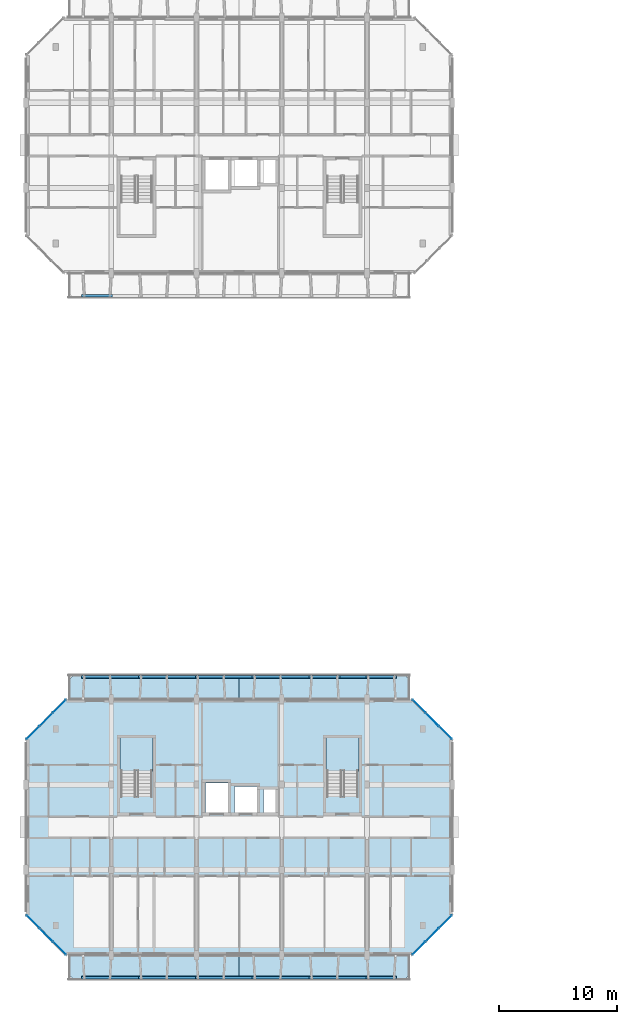
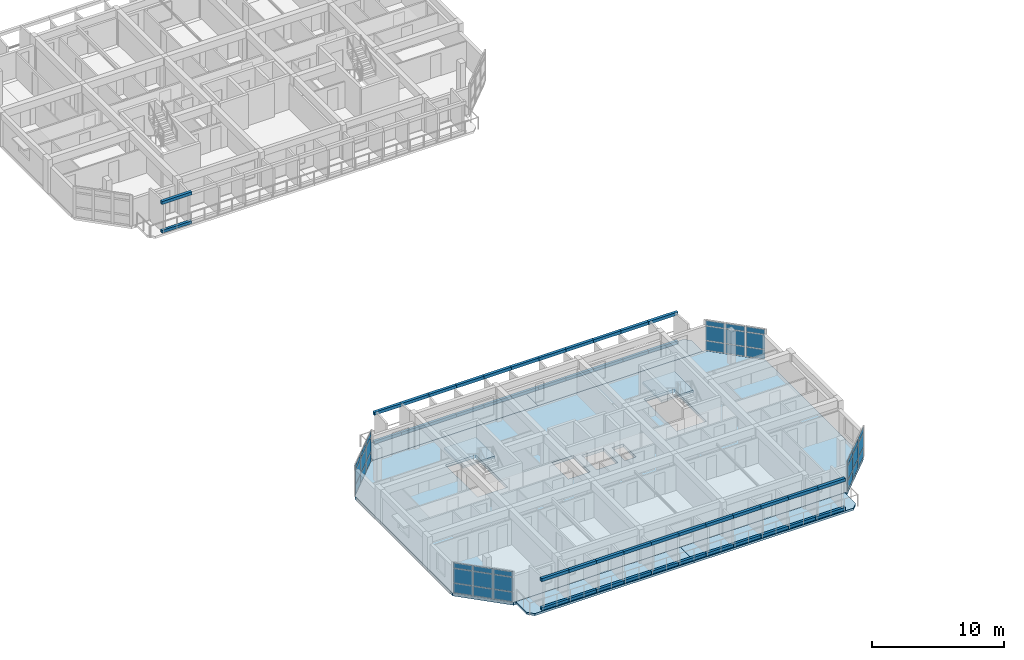
# One storey, part 11 of 44: 82 plates, 7 slabs, 6 elements without a shape of their own.
"""IFC4 building model written with IfcOpenShell, lengths in metres."""

from ifc_helpers import new_model, si_unit, direction, frame, origin, origin_2d, place, context, subcontext, project, spatial, polyline, rectangle, outline, extrude, material, layer, layer_set, type_object, element, aggregate, save


model = new_model("IFC4")

# Units and contexts
model_context = context("Model", 3, precision=1e-05, world=origin(), true_north=direction((0.0, 1.0)))
body_context = subcontext(model_context, "Body", "Model", "MODEL_VIEW")
ifc_project = project(units=[si_unit("LENGTHUNIT", "METRE"), si_unit("AREAUNIT", "SQUARE_METRE"), si_unit("VOLUMEUNIT", "CUBIC_METRE"), si_unit("PLANEANGLEUNIT", "RADIAN"), si_unit("MASSUNIT", "GRAM", prefix="KILO")], contexts=[model_context])

# Site, building, storey
site_placement = place(None, origin())
site = spatial("IfcSite", under=ifc_project, at=site_placement, CompositionType="ELEMENT")
building_placement = place(site_placement, origin())
building = spatial("IfcBuilding", under=site, at=building_placement, Name="Ochrevale Crest", CompositionType="ELEMENT")
storey_placement = place(building_placement, frame((0.0, 0.0, 21.300048828125)))
storey = spatial("IfcBuildingStorey", under=building, at=storey_placement, Name="L06", CompositionType="ELEMENT", Elevation=21.300048828125)

# Curtain wall, plates
ifc_material_1 = material(Name="Anodised aluminium 6063-T5", Category="aluminium")
ifc_layer_1 = layer(ifc_material_1, 0.14990234375)
ifc_layer_set_1 = layer_set([ifc_layer_1], Name="Anodised aluminium 6063-T5")
curtain_wall_type_1 = type_object("IfcCurtainWallType", Name="CW-WG-240x285", PredefinedType="NOTDEFINED", material=ifc_layer_set_1)
curtain_wall_1_placement = place(storey_placement, origin())
curtain_wall_1 = element("IfcCurtainWall", 1, at=curtain_wall_1_placement, inside=storey, type_object=curtain_wall_type_1, Name="Block A L06 chamfered corner wintergarden curtain wall 4", PredefinedType="NOTDEFINED")
ifc_material_2 = material(Name="Double-glazed low-E insulated glass unit", Category="glass")
ifc_layer_2 = layer(ifc_material_2, 0.028076171875)
ifc_layer_set_2 = layer_set([ifc_layer_2], Name="Double-glazed low-E insulated glass unit")
plate_type_1 = type_object("IfcPlateType", Name="CW-PNL-IGU28", PredefinedType="CURTAIN_PANEL", material=ifc_layer_set_2)
plate_1_placement = place(storey_placement, frame((35.420166015625, 33.179931640625, 0.06005859375), z_axis=(0.0, 0.0, 1.0), x_axis=(-0.707106781187, 0.707106781187, 0.0)))
plate_1 = element("IfcPlate", 2, at=plate_1_placement, type_object=plate_type_1, Name="CW15 panel 1.1", PredefinedType="CURTAIN_PANEL", context=body_context, shape_type="SweptSolid", body=[
    extrude(rectangle(XDim=1.490234375, YDim=0.028076171875, at=origin_2d()), origin(), (0.0, 0.0, 1.0), 0.860107421875),
])
plate_2_placement = place(storey_placement, frame((35.420166015625, 33.179931640625, 0.97998046875), z_axis=(0.0, 0.0, 1.0), x_axis=(-0.707106781187, 0.707106781187, 0.0)))
plate_2 = element("IfcPlate", 3, at=plate_2_placement, type_object=plate_type_1, Name="CW15 panel 1.2", PredefinedType="CURTAIN_PANEL", context=body_context, shape_type="SweptSolid", body=[
    extrude(rectangle(XDim=1.490234375, YDim=0.028076171875, at=origin_2d()), origin(), (0.0, 0.0, 1.0), 1.31494140625),
])
plate_3_placement = place(storey_placement, frame((35.420166015625, 33.179931640625, 2.35498046875), z_axis=(0.0, 0.0, 1.0), x_axis=(-0.707106781187, 0.707106781187, 0.0)))
plate_3 = element("IfcPlate", 4, at=plate_3_placement, type_object=plate_type_1, Name="CW15 panel 1.3", PredefinedType="CURTAIN_PANEL", context=body_context, shape_type="SweptSolid", body=[
    extrude(rectangle(XDim=1.490234375, YDim=0.028076171875, at=origin_2d()), origin(), (0.0, 0.0, 1.0), 0.4599609375),
])
plate_4_placement = place(storey_placement, frame((34.300048828125, 34.300048828125, 0.06005859375), z_axis=(0.0, 0.0, 1.0), x_axis=(-0.707106781187, 0.707106781187, 0.0)))
plate_4 = element("IfcPlate", 5, at=plate_4_placement, type_object=plate_type_1, Name="CW15 panel 2.1", PredefinedType="CURTAIN_PANEL", context=body_context, shape_type="SweptSolid", body=[
    extrude(rectangle(XDim=1.52783203125, YDim=0.028076171875, at=origin_2d()), origin(), (0.0, 0.0, 1.0), 0.860107421875),
])
plate_5_placement = place(storey_placement, frame((34.300048828125, 34.300048828125, 0.97998046875), z_axis=(0.0, 0.0, 1.0), x_axis=(-0.707106781187, 0.707106781187, 0.0)))
plate_5 = element("IfcPlate", 6, at=plate_5_placement, type_object=plate_type_1, Name="CW15 panel 2.2", PredefinedType="CURTAIN_PANEL", context=body_context, shape_type="SweptSolid", body=[
    extrude(rectangle(XDim=1.52783203125, YDim=0.028076171875, at=origin_2d()), origin(), (0.0, 0.0, 1.0), 1.31494140625),
])
plate_6_placement = place(storey_placement, frame((34.300048828125, 34.300048828125, 2.35498046875), z_axis=(0.0, 0.0, 1.0), x_axis=(-0.707106781187, 0.707106781187, 0.0)))
plate_6 = element("IfcPlate", 7, at=plate_6_placement, type_object=plate_type_1, Name="CW15 panel 2.3", PredefinedType="CURTAIN_PANEL", context=body_context, shape_type="SweptSolid", body=[
    extrude(rectangle(XDim=1.52783203125, YDim=0.028076171875, at=origin_2d()), origin(), (0.0, 0.0, 1.0), 0.4599609375),
])
plate_7_placement = place(storey_placement, frame((33.179931640625, 35.420166015625, 0.06005859375), z_axis=(0.0, 0.0, 1.0), x_axis=(-0.707106781187, 0.707106781187, 0.0)))
plate_7 = element("IfcPlate", 8, at=plate_7_placement, type_object=plate_type_1, Name="CW15 panel 3.1", PredefinedType="CURTAIN_PANEL", context=body_context, shape_type="SweptSolid", body=[
    extrude(rectangle(XDim=1.490234375, YDim=0.028076171875, at=origin_2d()), origin(), (0.0, 0.0, 1.0), 0.860107421875),
])
plate_8_placement = place(storey_placement, frame((33.179931640625, 35.420166015625, 0.97998046875), z_axis=(0.0, 0.0, 1.0), x_axis=(-0.707106781187, 0.707106781187, 0.0)))
plate_8 = element("IfcPlate", 9, at=plate_8_placement, type_object=plate_type_1, Name="CW15 panel 3.2", PredefinedType="CURTAIN_PANEL", context=body_context, shape_type="SweptSolid", body=[
    extrude(rectangle(XDim=1.490234375, YDim=0.028076171875, at=origin_2d()), origin(), (0.0, 0.0, 1.0), 1.31494140625),
])
plate_9_placement = place(storey_placement, frame((33.179931640625, 35.420166015625, 2.35498046875), z_axis=(0.0, 0.0, 1.0), x_axis=(-0.707106781187, 0.707106781187, 0.0)))
plate_9 = element("IfcPlate", 10, at=plate_9_placement, type_object=plate_type_1, Name="CW15 panel 3.3", PredefinedType="CURTAIN_PANEL", context=body_context, shape_type="SweptSolid", body=[
    extrude(rectangle(XDim=1.490234375, YDim=0.028076171875, at=origin_2d()), origin(), (0.0, 0.0, 1.0), 0.4599609375),
])
aggregate(curtain_wall_1, [plate_1, plate_2, plate_3, plate_4, plate_5, plate_6, plate_7, plate_8, plate_9])

ifc_layer_3 = layer(ifc_material_1, 0.14990234375)
ifc_layer_set_3 = layer_set([ifc_layer_3], Name="Anodised aluminium 6063-T5")
curtain_wall_type_2 = type_object("IfcCurtainWallType", Name="CW-WG-320x285", PredefinedType="NOTDEFINED", material=ifc_layer_set_3)
curtain_wall_2_placement = place(storey_placement, origin())
curtain_wall_2 = element("IfcCurtainWall", 11, at=curtain_wall_2_placement, inside=storey, type_object=curtain_wall_type_2, Name="Block A L06 chamfered corner wintergarden curtain wall 6", PredefinedType="NOTDEFINED")
plate_10_placement = place(storey_placement, frame((2.820068359375, 35.420166015625, 0.06005859375), z_axis=(0.0, 0.0, 1.0), x_axis=(-0.707106781187, -0.707106781187, 0.0)))
plate_10 = element("IfcPlate", 12, at=plate_10_placement, type_object=plate_type_1, Name="CW17 panel 1.1", PredefinedType="CURTAIN_PANEL", context=body_context, shape_type="SweptSolid", body=[
    extrude(rectangle(XDim=1.490234375, YDim=0.028076171875, at=origin_2d()), origin(), (0.0, 0.0, 1.0), 0.860107421875),
])
plate_11_placement = place(storey_placement, frame((2.820068359375, 35.420166015625, 0.97998046875), z_axis=(0.0, 0.0, 1.0), x_axis=(-0.707106781187, -0.707106781187, 0.0)))
plate_11 = element("IfcPlate", 13, at=plate_11_placement, type_object=plate_type_1, Name="CW17 panel 1.2", PredefinedType="CURTAIN_PANEL", context=body_context, shape_type="SweptSolid", body=[
    extrude(rectangle(XDim=1.490234375, YDim=0.028076171875, at=origin_2d()), origin(), (0.0, 0.0, 1.0), 1.31494140625),
])
plate_12_placement = place(storey_placement, frame((2.820068359375, 35.420166015625, 2.35498046875), z_axis=(0.0, 0.0, 1.0), x_axis=(-0.707106781187, -0.707106781187, 0.0)))
plate_12 = element("IfcPlate", 14, at=plate_12_placement, type_object=plate_type_1, Name="CW17 panel 1.3", PredefinedType="CURTAIN_PANEL", context=body_context, shape_type="SweptSolid", body=[
    extrude(rectangle(XDim=1.490234375, YDim=0.028076171875, at=origin_2d()), origin(), (0.0, 0.0, 1.0), 0.4599609375),
])
plate_13_placement = place(storey_placement, frame((1.699951171875, 34.300048828125, 0.06005859375), z_axis=(0.0, 0.0, 1.0), x_axis=(-0.707106781187, -0.707106781187, 0.0)))
plate_13 = element("IfcPlate", 15, at=plate_13_placement, type_object=plate_type_1, Name="CW17 panel 2.1", PredefinedType="CURTAIN_PANEL", context=body_context, shape_type="SweptSolid", body=[
    extrude(rectangle(XDim=1.52783203125, YDim=0.028076171875, at=origin_2d()), origin(), (0.0, 0.0, 1.0), 0.860107421875),
])
plate_14_placement = place(storey_placement, frame((1.699951171875, 34.300048828125, 0.97998046875), z_axis=(0.0, 0.0, 1.0), x_axis=(-0.707106781187, -0.707106781187, 0.0)))
plate_14 = element("IfcPlate", 16, at=plate_14_placement, type_object=plate_type_1, Name="CW17 panel 2.2", PredefinedType="CURTAIN_PANEL", context=body_context, shape_type="SweptSolid", body=[
    extrude(rectangle(XDim=1.52783203125, YDim=0.028076171875, at=origin_2d()), origin(), (0.0, 0.0, 1.0), 1.31494140625),
])
plate_15_placement = place(storey_placement, frame((1.699951171875, 34.300048828125, 2.35498046875), z_axis=(0.0, 0.0, 1.0), x_axis=(-0.707106781187, -0.707106781187, 0.0)))
plate_15 = element("IfcPlate", 17, at=plate_15_placement, type_object=plate_type_1, Name="CW17 panel 2.3", PredefinedType="CURTAIN_PANEL", context=body_context, shape_type="SweptSolid", body=[
    extrude(rectangle(XDim=1.52783203125, YDim=0.028076171875, at=origin_2d()), origin(), (0.0, 0.0, 1.0), 0.4599609375),
])
plate_16_placement = place(storey_placement, frame((0.579833984375, 33.179931640625, 0.06005859375), z_axis=(0.0, 0.0, 1.0), x_axis=(-0.707106781187, -0.707106781187, 0.0)))
plate_16 = element("IfcPlate", 18, at=plate_16_placement, type_object=plate_type_1, Name="CW17 panel 3.1", PredefinedType="CURTAIN_PANEL", context=body_context, shape_type="SweptSolid", body=[
    extrude(rectangle(XDim=1.490234375, YDim=0.028076171875, at=origin_2d()), origin(), (0.0, 0.0, 1.0), 0.860107421875),
])
plate_17_placement = place(storey_placement, frame((0.579833984375, 33.179931640625, 0.97998046875), z_axis=(0.0, 0.0, 1.0), x_axis=(-0.707106781187, -0.707106781187, 0.0)))
plate_17 = element("IfcPlate", 19, at=plate_17_placement, type_object=plate_type_1, Name="CW17 panel 3.2", PredefinedType="CURTAIN_PANEL", context=body_context, shape_type="SweptSolid", body=[
    extrude(rectangle(XDim=1.490234375, YDim=0.028076171875, at=origin_2d()), origin(), (0.0, 0.0, 1.0), 1.31494140625),
])
plate_18_placement = place(storey_placement, frame((0.579833984375, 33.179931640625, 2.35498046875), z_axis=(0.0, 0.0, 1.0), x_axis=(-0.707106781187, -0.707106781187, 0.0)))
plate_18 = element("IfcPlate", 20, at=plate_18_placement, type_object=plate_type_1, Name="CW17 panel 3.3", PredefinedType="CURTAIN_PANEL", context=body_context, shape_type="SweptSolid", body=[
    extrude(rectangle(XDim=1.490234375, YDim=0.028076171875, at=origin_2d()), origin(), (0.0, 0.0, 1.0), 0.4599609375),
])
aggregate(curtain_wall_2, [plate_10, plate_11, plate_12, plate_13, plate_14, plate_15, plate_16, plate_17, plate_18])

ifc_layer_4 = layer(ifc_material_1, 0.14990234375)
ifc_layer_set_4 = layer_set([ifc_layer_4], Name="Anodised aluminium 6063-T5")
curtain_wall_type_3 = type_object("IfcCurtainWallType", Name="CW-WG-420x285", PredefinedType="NOTDEFINED", material=ifc_layer_set_4)
curtain_wall_3_placement = place(storey_placement, origin())
curtain_wall_3 = element("IfcCurtainWall", 21, at=curtain_wall_3_placement, inside=storey, type_object=curtain_wall_type_3, Name="Block A L06 chamfered corner wintergarden curtain wall 8", PredefinedType="NOTDEFINED")
plate_19_placement = place(storey_placement, frame((0.579833984375, 17.219970703125, 0.06005859375), z_axis=(0.0, 0.0, 1.0), x_axis=(0.707106781187, -0.707106781187, 0.0)))
plate_19 = element("IfcPlate", 22, at=plate_19_placement, type_object=plate_type_1, Name="CW22 panel 1.1", PredefinedType="CURTAIN_PANEL", context=body_context, shape_type="SweptSolid", body=[
    extrude(rectangle(XDim=1.490234375, YDim=0.028076171875, at=origin_2d()), origin(), (0.0, 0.0, 1.0), 0.860107421875),
])
plate_20_placement = place(storey_placement, frame((0.579833984375, 17.219970703125, 0.97998046875), z_axis=(0.0, 0.0, 1.0), x_axis=(0.707106781187, -0.707106781187, 0.0)))
plate_20 = element("IfcPlate", 23, at=plate_20_placement, type_object=plate_type_1, Name="CW22 panel 1.2", PredefinedType="CURTAIN_PANEL", context=body_context, shape_type="SweptSolid", body=[
    extrude(rectangle(XDim=1.490234375, YDim=0.028076171875, at=origin_2d()), origin(), (0.0, 0.0, 1.0), 1.31494140625),
])
plate_21_placement = place(storey_placement, frame((0.579833984375, 17.219970703125, 2.35498046875), z_axis=(0.0, 0.0, 1.0), x_axis=(0.707106781187, -0.707106781187, 0.0)))
plate_21 = element("IfcPlate", 24, at=plate_21_placement, type_object=plate_type_1, Name="CW22 panel 1.3", PredefinedType="CURTAIN_PANEL", context=body_context, shape_type="SweptSolid", body=[
    extrude(rectangle(XDim=1.490234375, YDim=0.028076171875, at=origin_2d()), origin(), (0.0, 0.0, 1.0), 0.4599609375),
])
plate_22_placement = place(storey_placement, frame((1.699951171875, 16.10009765625, 0.06005859375), z_axis=(0.0, 0.0, 1.0), x_axis=(0.707106781187, -0.707106781187, 0.0)))
plate_22 = element("IfcPlate", 25, at=plate_22_placement, type_object=plate_type_1, Name="CW22 panel 2.1", PredefinedType="CURTAIN_PANEL", context=body_context, shape_type="SweptSolid", body=[
    extrude(rectangle(XDim=1.52783203125, YDim=0.028076171875, at=origin_2d()), origin(), (0.0, 0.0, 1.0), 0.860107421875),
])
plate_23_placement = place(storey_placement, frame((1.699951171875, 16.10009765625, 0.97998046875), z_axis=(0.0, 0.0, 1.0), x_axis=(0.707106781187, -0.707106781187, 0.0)))
plate_23 = element("IfcPlate", 26, at=plate_23_placement, type_object=plate_type_1, Name="CW22 panel 2.2", PredefinedType="CURTAIN_PANEL", context=body_context, shape_type="SweptSolid", body=[
    extrude(rectangle(XDim=1.52783203125, YDim=0.028076171875, at=origin_2d()), origin(), (0.0, 0.0, 1.0), 1.31494140625),
])
plate_24_placement = place(storey_placement, frame((1.699951171875, 16.10009765625, 2.35498046875), z_axis=(0.0, 0.0, 1.0), x_axis=(0.707106781187, -0.707106781187, 0.0)))
plate_24 = element("IfcPlate", 27, at=plate_24_placement, type_object=plate_type_1, Name="CW22 panel 2.3", PredefinedType="CURTAIN_PANEL", context=body_context, shape_type="SweptSolid", body=[
    extrude(rectangle(XDim=1.52783203125, YDim=0.028076171875, at=origin_2d()), origin(), (0.0, 0.0, 1.0), 0.4599609375),
])
plate_25_placement = place(storey_placement, frame((2.820068359375, 14.97998046875, 0.06005859375), z_axis=(0.0, 0.0, 1.0), x_axis=(0.707106781187, -0.707106781187, 0.0)))
plate_25 = element("IfcPlate", 28, at=plate_25_placement, type_object=plate_type_1, Name="CW22 panel 3.1", PredefinedType="CURTAIN_PANEL", context=body_context, shape_type="SweptSolid", body=[
    extrude(rectangle(XDim=1.490234375, YDim=0.028076171875, at=origin_2d()), origin(), (0.0, 0.0, 1.0), 0.860107421875),
])
plate_26_placement = place(storey_placement, frame((2.820068359375, 14.97998046875, 0.97998046875), z_axis=(0.0, 0.0, 1.0), x_axis=(0.707106781187, -0.707106781187, 0.0)))
plate_26 = element("IfcPlate", 29, at=plate_26_placement, type_object=plate_type_1, Name="CW22 panel 3.2", PredefinedType="CURTAIN_PANEL", context=body_context, shape_type="SweptSolid", body=[
    extrude(rectangle(XDim=1.490234375, YDim=0.028076171875, at=origin_2d()), origin(), (0.0, 0.0, 1.0), 1.31494140625),
])
plate_27_placement = place(storey_placement, frame((2.820068359375, 14.97998046875, 2.35498046875), z_axis=(0.0, 0.0, 1.0), x_axis=(0.707106781187, -0.707106781187, 0.0)))
plate_27 = element("IfcPlate", 30, at=plate_27_placement, type_object=plate_type_1, Name="CW22 panel 3.3", PredefinedType="CURTAIN_PANEL", context=body_context, shape_type="SweptSolid", body=[
    extrude(rectangle(XDim=1.490234375, YDim=0.028076171875, at=origin_2d()), origin(), (0.0, 0.0, 1.0), 0.4599609375),
])
aggregate(curtain_wall_3, [plate_19, plate_20, plate_21, plate_22, plate_23, plate_24, plate_25, plate_26, plate_27])

ifc_layer_5 = layer(ifc_material_1, 0.14990234375)
ifc_layer_set_5 = layer_set([ifc_layer_5], Name="Anodised aluminium 6063-T5")
curtain_wall_type_4 = type_object("IfcCurtainWallType", Name="CW-WG-360x285", PredefinedType="NOTDEFINED", material=ifc_layer_set_5)
curtain_wall_4_placement = place(storey_placement, origin())
curtain_wall_4 = element("IfcCurtainWall", 31, at=curtain_wall_4_placement, inside=storey, type_object=curtain_wall_type_4, Name="Block A L06 chamfered corner wintergarden curtain wall 2", PredefinedType="NOTDEFINED")
ifc_material_3 = material(Name="Acoustic laminated low-E insulated glass unit", Category="glass")
ifc_layer_6 = layer(ifc_material_3, 0.0380859375)
ifc_layer_set_6 = layer_set([ifc_layer_6], Name="Acoustic laminated low-E insulated glass unit")
plate_type_2 = type_object("IfcPlateType", Name="CW-PNL-IGU38", PredefinedType="CURTAIN_PANEL", material=ifc_layer_set_6)
plate_28_placement = place(storey_placement, frame((33.179931640625, 14.97998046875, 0.06005859375), z_axis=(0.0, 0.0, 1.0), x_axis=(0.707106781187, 0.707106781187, 0.0)))
plate_28 = element("IfcPlate", 32, at=plate_28_placement, type_object=plate_type_2, Name="CW18 panel 1.1", PredefinedType="CURTAIN_PANEL", context=body_context, shape_type="SweptSolid", body=[
    extrude(rectangle(XDim=1.490234375, YDim=0.0380859375, at=origin_2d()), origin(), (0.0, 0.0, 1.0), 0.860107421875),
])
plate_29_placement = place(storey_placement, frame((33.179931640625, 14.97998046875, 0.97998046875), z_axis=(0.0, 0.0, 1.0), x_axis=(0.707106781187, 0.707106781187, 0.0)))
plate_29 = element("IfcPlate", 33, at=plate_29_placement, type_object=plate_type_2, Name="CW18 panel 1.2", PredefinedType="CURTAIN_PANEL", context=body_context, shape_type="SweptSolid", body=[
    extrude(rectangle(XDim=1.490234375, YDim=0.0380859375, at=origin_2d()), origin(), (0.0, 0.0, 1.0), 1.31494140625),
])
plate_30_placement = place(storey_placement, frame((33.179931640625, 14.97998046875, 2.35498046875), z_axis=(0.0, 0.0, 1.0), x_axis=(0.707106781187, 0.707106781187, 0.0)))
plate_30 = element("IfcPlate", 34, at=plate_30_placement, type_object=plate_type_2, Name="CW18 panel 1.3", PredefinedType="CURTAIN_PANEL", context=body_context, shape_type="SweptSolid", body=[
    extrude(rectangle(XDim=1.490234375, YDim=0.0380859375, at=origin_2d()), origin(), (0.0, 0.0, 1.0), 0.4599609375),
])
plate_31_placement = place(storey_placement, frame((34.300048828125, 16.10009765625, 0.06005859375), z_axis=(0.0, 0.0, 1.0), x_axis=(0.707106781187, 0.707106781187, 0.0)))
plate_31 = element("IfcPlate", 35, at=plate_31_placement, type_object=plate_type_2, Name="CW18 panel 2.1", PredefinedType="CURTAIN_PANEL", context=body_context, shape_type="SweptSolid", body=[
    extrude(rectangle(XDim=1.52783203125, YDim=0.0380859375, at=origin_2d()), origin(), (0.0, 0.0, 1.0), 0.860107421875),
])
plate_32_placement = place(storey_placement, frame((34.300048828125, 16.10009765625, 0.97998046875), z_axis=(0.0, 0.0, 1.0), x_axis=(0.707106781187, 0.707106781187, 0.0)))
plate_32 = element("IfcPlate", 36, at=plate_32_placement, type_object=plate_type_2, Name="CW18 panel 2.2", PredefinedType="CURTAIN_PANEL", context=body_context, shape_type="SweptSolid", body=[
    extrude(rectangle(XDim=1.52783203125, YDim=0.0380859375, at=origin_2d()), origin(), (0.0, 0.0, 1.0), 1.31494140625),
])
plate_33_placement = place(storey_placement, frame((34.300048828125, 16.10009765625, 2.35498046875), z_axis=(0.0, 0.0, 1.0), x_axis=(0.707106781187, 0.707106781187, 0.0)))
plate_33 = element("IfcPlate", 37, at=plate_33_placement, type_object=plate_type_2, Name="CW18 panel 2.3", PredefinedType="CURTAIN_PANEL", context=body_context, shape_type="SweptSolid", body=[
    extrude(rectangle(XDim=1.52783203125, YDim=0.0380859375, at=origin_2d()), origin(), (0.0, 0.0, 1.0), 0.4599609375),
])
plate_34_placement = place(storey_placement, frame((35.420166015625, 17.219970703125, 0.06005859375), z_axis=(0.0, 0.0, 1.0), x_axis=(0.707106781187, 0.707106781187, 0.0)))
plate_34 = element("IfcPlate", 38, at=plate_34_placement, type_object=plate_type_2, Name="CW18 panel 3.1", PredefinedType="CURTAIN_PANEL", context=body_context, shape_type="SweptSolid", body=[
    extrude(rectangle(XDim=1.490234375, YDim=0.0380859375, at=origin_2d()), origin(), (0.0, 0.0, 1.0), 0.860107421875),
])
plate_35_placement = place(storey_placement, frame((35.420166015625, 17.219970703125, 0.97998046875), z_axis=(0.0, 0.0, 1.0), x_axis=(0.707106781187, 0.707106781187, 0.0)))
plate_35 = element("IfcPlate", 39, at=plate_35_placement, type_object=plate_type_2, Name="CW18 panel 3.2", PredefinedType="CURTAIN_PANEL", context=body_context, shape_type="SweptSolid", body=[
    extrude(rectangle(XDim=1.490234375, YDim=0.0380859375, at=origin_2d()), origin(), (0.0, 0.0, 1.0), 1.31494140625),
])
plate_36_placement = place(storey_placement, frame((35.420166015625, 17.219970703125, 2.35498046875), z_axis=(0.0, 0.0, 1.0), x_axis=(0.707106781187, 0.707106781187, 0.0)))
plate_36 = element("IfcPlate", 40, at=plate_36_placement, type_object=plate_type_2, Name="CW18 panel 3.3", PredefinedType="CURTAIN_PANEL", context=body_context, shape_type="SweptSolid", body=[
    extrude(rectangle(XDim=1.490234375, YDim=0.0380859375, at=origin_2d()), origin(), (0.0, 0.0, 1.0), 0.4599609375),
])
aggregate(curtain_wall_4, [plate_28, plate_29, plate_30, plate_31, plate_32, plate_33, plate_34, plate_35, plate_36])

# Plates
ifc_material_4 = material(Name="Precast concrete C40/50", Category="concrete")
ifc_layer_7 = layer(ifc_material_4, 0.06005859375)
ifc_layer_set_7 = layer_set([ifc_layer_7], Name="Precast concrete C40/50")
plate_type_3 = type_object("IfcPlateType", Name="PLT-HC-HEAD-60", PredefinedType="USERDEFINED", material=ifc_layer_set_7)
for number, where, z_axis, x_axis, name in (
    (41, (6.0, 12.5, 2.669921875), (0.0, 0.0, 1.0), (1.0, 0.0, 0.0), "Block A L06 S honeycomb arched lintel fascia 1"),
    (42, (8.39990234375, 12.5, 2.669921875), (0.0, 0.0, 1.0), (1.0, 0.0, 0.0), "Block A L06 S honeycomb arched lintel fascia 2"),
    (43, (10.800048828125, 12.5, 2.669921875), (0.0, 0.0, 1.0), (1.0, 0.0, 0.0), "Block A L06 S honeycomb arched lintel fascia 3"),
    (44, (13.199951171875, 12.5, 2.669921875), (0.0, 0.0, 1.0), (1.0, 0.0, 0.0), "Block A L06 S honeycomb arched lintel fascia 4"),
    (45, (15.60009765625, 12.5, 2.669921875), (0.0, 0.0, 1.0), (1.0, 0.0, 0.0), "Block A L06 S honeycomb arched lintel fascia 5"),
    (46, (18.0, 12.5, 2.669921875), (0.0, 0.0, 1.0), (1.0, 0.0, 0.0), "Block A L06 S honeycomb arched lintel fascia 6"),
    (47, (20.39990234375, 12.5, 2.669921875), (0.0, 0.0, 1.0), (1.0, 0.0, 0.0), "Block A L06 S honeycomb arched lintel fascia 7"),
    (48, (22.800048828125, 12.5, 2.669921875), (0.0, 0.0, 1.0), (1.0, 0.0, 0.0), "Block A L06 S honeycomb arched lintel fascia 8"),
    (49, (25.199951171875, 12.5, 2.669921875), (0.0, 0.0, 1.0), (1.0, 0.0, 0.0), "Block A L06 S honeycomb arched lintel fascia 9"),
    (50, (27.60009765625, 12.5, 2.669921875), (0.0, 0.0, 1.0), (1.0, 0.0, 0.0), "Block A L06 S honeycomb arched lintel fascia 10"),
    (51, (30.0, 12.5, 2.669921875), (0.0, 0.0, 1.0), (1.0, 0.0, 0.0), "Block A L06 S honeycomb arched lintel fascia 11"),
    (52, (6.0, 37.89990234375, 2.669921875), (0.0, 0.0, 1.0), (1.0, 0.0, 0.0), "Block A L06 N honeycomb arched lintel fascia 1"),
    (53, (8.39990234375, 37.89990234375, 2.669921875), (0.0, 0.0, 1.0), (1.0, 0.0, 0.0), "Block A L06 N honeycomb arched lintel fascia 2"),
    (54, (10.800048828125, 37.89990234375, 2.669921875), (0.0, 0.0, 1.0), (1.0, 0.0, 0.0), "Block A L06 N honeycomb arched lintel fascia 3"),
    (55, (13.199951171875, 37.89990234375, 2.669921875), (0.0, 0.0, 1.0), (1.0, 0.0, 0.0), "Block A L06 N honeycomb arched lintel fascia 4"),
    (56, (15.60009765625, 37.89990234375, 2.669921875), (0.0, 0.0, 1.0), (1.0, 0.0, 0.0), "Block A L06 N honeycomb arched lintel fascia 5"),
    (57, (18.0, 37.89990234375, 2.669921875), (0.0, 0.0, 1.0), (1.0, 0.0, 0.0), "Block A L06 N honeycomb arched lintel fascia 6"),
    (58, (20.39990234375, 37.89990234375, 2.669921875), (0.0, 0.0, 1.0), (1.0, 0.0, 0.0), "Block A L06 N honeycomb arched lintel fascia 7"),
    (59, (22.800048828125, 37.89990234375, 2.669921875), (0.0, 0.0, 1.0), (1.0, 0.0, 0.0), "Block A L06 N honeycomb arched lintel fascia 8"),
    (60, (25.199951171875, 37.89990234375, 2.669921875), (0.0, 0.0, 1.0), (1.0, 0.0, 0.0), "Block A L06 N honeycomb arched lintel fascia 9"),
    (61, (27.60009765625, 37.89990234375, 2.669921875), (0.0, 0.0, 1.0), (1.0, 0.0, 0.0), "Block A L06 N honeycomb arched lintel fascia 10"),
    (62, (30.0, 37.89990234375, 2.669921875), (0.0, 0.0, 1.0), (1.0, 0.0, 0.0), "Block A L06 N honeycomb arched lintel fascia 11"),
    (63, (6.0, 70.10009765625, 2.669921875), (0.0, 0.0, 1.0), (1.0, 0.0, 0.0), "Block B L06 S honeycomb arched lintel fascia 1"),
):
    element("IfcPlate", number, at=place(storey_placement, frame(where, z_axis=z_axis, x_axis=x_axis)), inside=storey, type_object=plate_type_3, Name=name, ObjectType="FACADE FASCIA PLATE", PredefinedType="USERDEFINED", context=body_context, shape_type="SweptSolid", body=[
        extrude(rectangle(XDim=2.60009765625, YDim=0.239990234375, at=origin_2d()), origin(), (0.0, 0.0, 1.0), 0.280029296875),
    ])
ifc_layer_8 = layer(ifc_material_4, 0.044921875)
ifc_layer_set_8 = layer_set([ifc_layer_8], Name="Precast concrete C40/50")
plate_type_4 = type_object("IfcPlateType", Name="PLT-HC-SILL-45", PredefinedType="USERDEFINED", material=ifc_layer_set_8)
for number, where, z_axis, x_axis, name in (
    (64, (6.0, 12.5, 0.0), (0.0, 0.0, 1.0), (1.0, 0.0, 0.0), "Block A L06 S honeycomb sill coping plate 1"),
    (65, (8.39990234375, 12.5, 0.0), (0.0, 0.0, 1.0), (1.0, 0.0, 0.0), "Block A L06 S honeycomb sill coping plate 2"),
    (66, (10.800048828125, 12.5, 0.0), (0.0, 0.0, 1.0), (1.0, 0.0, 0.0), "Block A L06 S honeycomb sill coping plate 3"),
    (67, (13.199951171875, 12.5, 0.0), (0.0, 0.0, 1.0), (1.0, 0.0, 0.0), "Block A L06 S honeycomb sill coping plate 4"),
    (68, (15.60009765625, 12.5, 0.0), (0.0, 0.0, 1.0), (1.0, 0.0, 0.0), "Block A L06 S honeycomb sill coping plate 5"),
    (69, (18.0, 12.5, 0.0), (0.0, 0.0, 1.0), (1.0, 0.0, 0.0), "Block A L06 S honeycomb sill coping plate 6"),
    (70, (20.39990234375, 12.5, 0.0), (0.0, 0.0, 1.0), (1.0, 0.0, 0.0), "Block A L06 S honeycomb sill coping plate 7"),
    (71, (22.800048828125, 12.5, 0.0), (0.0, 0.0, 1.0), (1.0, 0.0, 0.0), "Block A L06 S honeycomb sill coping plate 8"),
    (72, (25.199951171875, 12.5, 0.0), (0.0, 0.0, 1.0), (1.0, 0.0, 0.0), "Block A L06 S honeycomb sill coping plate 9"),
    (73, (27.60009765625, 12.5, 0.0), (0.0, 0.0, 1.0), (1.0, 0.0, 0.0), "Block A L06 S honeycomb sill coping plate 10"),
    (74, (30.0, 12.5, 0.0), (0.0, 0.0, 1.0), (1.0, 0.0, 0.0), "Block A L06 S honeycomb sill coping plate 11"),
    (75, (6.0, 37.89990234375, 0.0), (0.0, 0.0, 1.0), (1.0, 0.0, 0.0), "Block A L06 N honeycomb sill coping plate 1"),
    (76, (8.39990234375, 37.89990234375, 0.0), (0.0, 0.0, 1.0), (1.0, 0.0, 0.0), "Block A L06 N honeycomb sill coping plate 2"),
    (77, (10.800048828125, 37.89990234375, 0.0), (0.0, 0.0, 1.0), (1.0, 0.0, 0.0), "Block A L06 N honeycomb sill coping plate 3"),
    (78, (13.199951171875, 37.89990234375, 0.0), (0.0, 0.0, 1.0), (1.0, 0.0, 0.0), "Block A L06 N honeycomb sill coping plate 4"),
    (79, (15.60009765625, 37.89990234375, 0.0), (0.0, 0.0, 1.0), (1.0, 0.0, 0.0), "Block A L06 N honeycomb sill coping plate 5"),
    (80, (18.0, 37.89990234375, 0.0), (0.0, 0.0, 1.0), (1.0, 0.0, 0.0), "Block A L06 N honeycomb sill coping plate 6"),
    (81, (20.39990234375, 37.89990234375, 0.0), (0.0, 0.0, 1.0), (1.0, 0.0, 0.0), "Block A L06 N honeycomb sill coping plate 7"),
    (82, (22.800048828125, 37.89990234375, 0.0), (0.0, 0.0, 1.0), (1.0, 0.0, 0.0), "Block A L06 N honeycomb sill coping plate 8"),
    (83, (25.199951171875, 37.89990234375, 0.0), (0.0, 0.0, 1.0), (1.0, 0.0, 0.0), "Block A L06 N honeycomb sill coping plate 9"),
    (84, (27.60009765625, 37.89990234375, 0.0), (0.0, 0.0, 1.0), (1.0, 0.0, 0.0), "Block A L06 N honeycomb sill coping plate 10"),
    (85, (30.0, 37.89990234375, 0.0), (0.0, 0.0, 1.0), (1.0, 0.0, 0.0), "Block A L06 N honeycomb sill coping plate 11"),
    (86, (6.0, 70.10009765625, 0.0), (0.0, 0.0, 1.0), (1.0, 0.0, 0.0), "Block B L06 S honeycomb sill coping plate 1"),
):
    element("IfcPlate", number, at=place(storey_placement, frame(where, z_axis=z_axis, x_axis=x_axis)), inside=storey, type_object=plate_type_4, Name=name, ObjectType="SILL COPING PLATE", PredefinedType="USERDEFINED", context=body_context, shape_type="SweptSolid", body=[
        extrude(rectangle(XDim=2.60009765625, YDim=0.219970703125, at=origin_2d()), origin(), (0.0, 0.0, 1.0), 0.260009765625),
    ])

# Slabs
ifc_layer_9 = layer(ifc_material_4, 0.199951171875)
ifc_layer_set_9 = layer_set([ifc_layer_9], Name="Precast concrete C40/50")
slab_type_1 = type_object("IfcSlabType", Name="SLB-BAL-200", PredefinedType="FLOOR", material=ifc_layer_set_9)
slab_1_placement = place(storey_placement, frame((0.0, 0.0, -0.199951171875)))
element("IfcSlab", 87, at=slab_1_placement, inside=storey, type_object=slab_type_1, Name="Block A L06 S1 precast loggia balcony slab", PredefinedType="FLOOR", context=body_context, shape_type="SweptSolid", body=[
    extrude(outline(polyline([(4.050048828125, 12.300048828125), (18.0, 12.300048828125), (18.0, 14.39990234375), (3.60009765625, 14.39990234375), (3.60009765625, 12.75), (4.050048828125, 12.300048828125)])), origin(), (0.0, 0.0, 1.0), 0.199951171875),
])
slab_2_placement = place(storey_placement, frame((0.0, 0.0, -0.199951171875)))
element("IfcSlab", 88, at=slab_2_placement, inside=storey, type_object=slab_type_1, Name="Block A L06 S2 precast loggia balcony slab", PredefinedType="FLOOR", context=body_context, shape_type="SweptSolid", body=[
    extrude(outline(polyline([(18.0, 12.300048828125), (31.949951171875, 12.300048828125), (32.39990234375, 12.75), (32.39990234375, 14.39990234375), (18.0, 14.39990234375), (18.0, 12.300048828125)])), origin(), (0.0, 0.0, 1.0), 0.199951171875),
])
slab_3_placement = place(storey_placement, frame((0.0, 0.0, -0.199951171875)))
element("IfcSlab", 89, at=slab_3_placement, inside=storey, type_object=slab_type_1, Name="Block A L06 N1 precast loggia balcony slab", PredefinedType="FLOOR", context=body_context, shape_type="SweptSolid", body=[
    extrude(outline(polyline([(3.60009765625, 36.0), (18.0, 36.0), (18.0, 38.10009765625), (4.050048828125, 38.10009765625), (3.60009765625, 37.64990234375), (3.60009765625, 36.0)])), origin(), (0.0, 0.0, 1.0), 0.199951171875),
])
slab_4_placement = place(storey_placement, frame((0.0, 0.0, -0.199951171875)))
element("IfcSlab", 90, at=slab_4_placement, inside=storey, type_object=slab_type_1, Name="Block A L06 N2 precast loggia balcony slab", PredefinedType="FLOOR", context=body_context, shape_type="SweptSolid", body=[
    extrude(outline(polyline([(18.0, 36.0), (32.39990234375, 36.0), (32.39990234375, 37.64990234375), (31.949951171875, 38.10009765625), (18.0, 38.10009765625), (18.0, 36.0)])), origin(), (0.0, 0.0, 1.0), 0.199951171875),
])
ifc_layer_10 = layer(ifc_material_4, 0.27490234375)
ifc_layer_set_10 = layer_set([ifc_layer_10], Name="Precast concrete C40/50")
slab_type_2 = type_object("IfcSlabType", Name="SLB-RES-275", PredefinedType="FLOOR", material=ifc_layer_set_10)
slab_5_placement = place(storey_placement, frame((0.0, 0.0, -0.275146484375)))
element("IfcSlab", 91, at=slab_5_placement, inside=storey, type_object=slab_type_2, Name="Block A L06 composite hollowcore floor slab", PredefinedType="FLOOR", context=body_context, shape_type="SweptSolid", body=[
    extrude(outline(polyline([(3.39990234375, 14.39990234375), (32.60009765625, 14.39990234375), (36.0, 17.800048828125), (36.0, 32.60009765625), (32.60009765625, 36.0), (3.39990234375, 36.0), (0.0, 32.60009765625), (0.0, 17.800048828125), (3.39990234375, 14.39990234375)]), holes=[polyline([(10.64990234375, 27.824951171875), (10.64990234375, 32.72509765625), (8.0, 32.72509765625), (8.0, 27.824951171875), (10.64990234375, 27.824951171875)]), polyline([(28.050048828125, 27.824951171875), (28.050048828125, 32.72509765625), (25.39990234375, 32.72509765625), (25.39990234375, 27.824951171875), (28.050048828125, 27.824951171875)]), polyline([(15.14990234375, 26.449951171875), (17.050048828125, 26.449951171875), (17.050048828125, 28.949951171875), (15.14990234375, 28.949951171875), (15.14990234375, 26.449951171875)]), polyline([(17.60009765625, 26.449951171875), (19.5, 26.449951171875), (19.5, 28.64990234375), (17.60009765625, 28.64990234375), (17.60009765625, 26.449951171875)]), polyline([(20.070068359375, 26.419921875), (21.080078125, 26.419921875), (21.080078125, 28.3798828125), (20.070068359375, 28.3798828125), (20.070068359375, 26.419921875)])]), origin(), (0.0, 0.0, 1.0), 0.275146484375),
])

# Stair, slab
stair_type = type_object("IfcStairType", Name="ST-CORE-DOG", PredefinedType="HALF_TURN_STAIR", material=ifc_material_4)
stair_1_placement = place(storey_placement, origin())
stair_1 = element("IfcStair", 92, at=stair_1_placement, inside=storey, type_object=stair_type, Name="L06 Block A Fire Stair 1", PredefinedType="HALF_TURN_STAIR")
ifc_layer_11 = layer(ifc_material_4, 0.199951171875)
ifc_layer_set_11 = layer_set([ifc_layer_11], Name="Precast concrete C40/50")
slab_type_3 = type_object("IfcSlabType", Name="SLB-ST-LAND", PredefinedType="LANDING", material=ifc_layer_set_11)
slab_6_placement = place(storey_placement, frame((0.0, 0.0, 1.375)))
slab_6 = element("IfcSlab", 93, at=slab_6_placement, type_object=slab_type_3, Name="ST-A1 landing 1", PredefinedType="LANDING", context=body_context, shape_type="SweptSolid", body=[
    extrude(outline(polyline([(10.72998046875, 29.93505859375), (10.72998046875, 32.804931640625), (7.919921875, 32.804931640625), (7.919921875, 29.93505859375), (10.72998046875, 29.93505859375)])), origin(), (0.0, 0.0, 1.0), 0.199951171875),
])
aggregate(stair_1, [slab_6])

stair_2_placement = place(storey_placement, origin())
stair_2 = element("IfcStair", 94, at=stair_2_placement, inside=storey, type_object=stair_type, Name="L06 Block A Fire Stair 2", PredefinedType="HALF_TURN_STAIR")
slab_7_placement = place(storey_placement, frame((0.0, 0.0, 1.375)))
slab_7 = element("IfcSlab", 95, at=slab_7_placement, type_object=slab_type_3, Name="ST-A2 landing 1", PredefinedType="LANDING", context=body_context, shape_type="SweptSolid", body=[
    extrude(outline(polyline([(28.1298828125, 29.93505859375), (28.1298828125, 32.804931640625), (25.320068359375, 32.804931640625), (25.320068359375, 29.93505859375), (28.1298828125, 29.93505859375)])), origin(), (0.0, 0.0, 1.0), 0.199951171875),
])
aggregate(stair_2, [slab_7])

save(model, "model.ifc")
